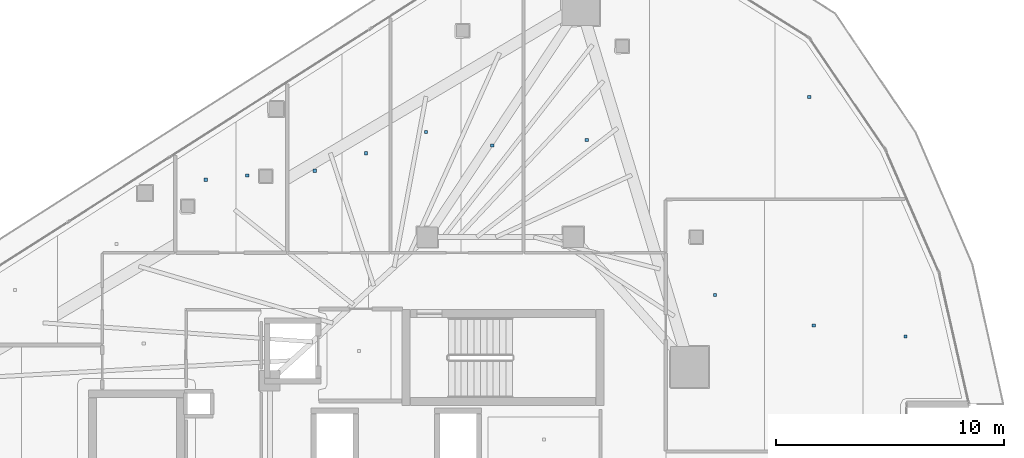
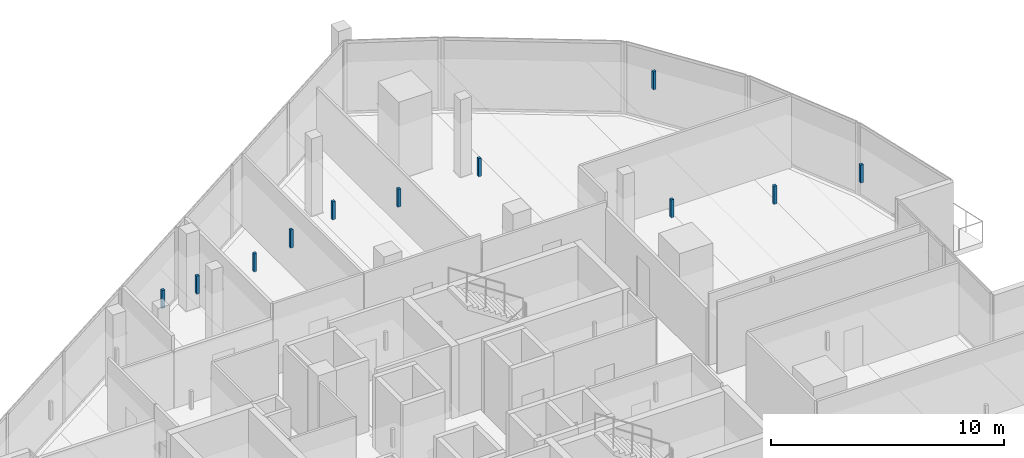
# One storey, part 26 of 32: 11 discrete accessories.
"""IFC4 building model written with IfcOpenShell, lengths in metres."""

from ifc_helpers import new_model, si_unit, direction, frame, origin, origin_2d, place, context, subcontext, project, spatial, rectangle, extrude, material, type_object, element, save


model = new_model("IFC4")

# Units and contexts
model_context = context("Model", 3, precision=1e-05, world=origin(), true_north=direction((0.0, 1.0)))
body_context = subcontext(model_context, "Body", "Model", "MODEL_VIEW")
ifc_project = project(units=[si_unit("LENGTHUNIT", "METRE"), si_unit("AREAUNIT", "SQUARE_METRE"), si_unit("VOLUMEUNIT", "CUBIC_METRE"), si_unit("PLANEANGLEUNIT", "RADIAN"), si_unit("MASSUNIT", "GRAM", prefix="KILO")], contexts=[model_context])

# Site, building, storey
site_placement = place(None, origin())
site = spatial("IfcSite", under=ifc_project, at=site_placement, CompositionType="ELEMENT")
building_placement = place(site_placement, origin())
building = spatial("IfcBuilding", under=site, at=building_placement, Name="Qorvath Tower", CompositionType="ELEMENT")
storey_placement = place(building_placement, frame((0.0, 0.0, 233.39990234375)))
storey = spatial("IfcBuildingStorey", under=building, at=storey_placement, Name="L54", CompositionType="ELEMENT", Elevation=233.39990234375)

# Discrete accessories
ifc_material = material(Name="Galvanised steel bracket", Category="steel")
discrete_accessory_type = type_object("IfcDiscreteAccessoryType", Name="DA-BRACKET", PredefinedType="BRACKET", material=ifc_material)
for number, where, z_axis, x_axis, name in (
    (1, (-33.3173828125, 13.961669921875, 2.85986328125), (0.0, 0.0, 1.0), (1.0, 0.0, 0.0), "Acoustic Ceiling Suspension Hanger T1-L54-010"),
    (2, (-31.49658203125, 14.1455078125, 2.85986328125), (0.0, 0.0, 1.0), (1.0, 0.0, 0.0), "Acoustic Ceiling Suspension Hanger T1-L54-011"),
    (3, (-28.5361328125, 14.360107421875, 2.85986328125), (0.0, 0.0, 1.0), (1.0, 0.0, 0.0), "Acoustic Ceiling Suspension Hanger T1-L54-012"),
    (4, (-26.2822265625, 15.12060546875, 2.85986328125), (0.0, 0.0, 1.0), (1.0, 0.0, 0.0), "Acoustic Ceiling Suspension Hanger T1-L54-013"),
    (5, (-23.658935546875, 16.05126953125, 2.85986328125), (0.0, 0.0, 1.0), (1.0, 0.0, 0.0), "Acoustic Ceiling Suspension Hanger T1-L54-014"),
    (6, (-20.74853515625, 15.464599609375, 2.85986328125), (0.0, 0.0, 1.0), (1.0, 0.0, 0.0), "Acoustic Ceiling Suspension Hanger T1-L54-015"),
    (7, (-16.60498046875, 15.712646484375, 2.85986328125), (0.0, 0.0, 1.0), (1.0, 0.0, 0.0), "Acoustic Ceiling Suspension Hanger T1-L54-016"),
    (8, (-6.845703125, 17.5908203125, 2.85986328125), (0.0, 0.0, 1.0), (1.0, 0.0, 0.0), "Acoustic Ceiling Suspension Hanger T1-L54-018"),
    (9, (-10.972900390625, 8.90771484375, 2.85986328125), (0.0, 0.0, 1.0), (1.0, 0.0, 0.0), "Acoustic Ceiling Suspension Hanger T1-L54-034"),
    (10, (-6.644287109375, 7.572265625, 2.85986328125), (0.0, 0.0, 1.0), (1.0, 0.0, 0.0), "Acoustic Ceiling Suspension Hanger T1-L54-035"),
    (11, (-2.625, 7.0830078125, 2.85986328125), (0.0, 0.0, 1.0), (1.0, 0.0, 0.0), "Acoustic Ceiling Suspension Hanger T1-L54-036"),
):
    element("IfcDiscreteAccessory", number, at=place(storey_placement, frame(where, z_axis=z_axis, x_axis=x_axis)), inside=storey, type_object=discrete_accessory_type, Name=name, PredefinedType="NOTDEFINED", context=body_context, shape_type="SweptSolid", body=[
        extrude(rectangle(XDim=0.139892578125, YDim=0.139892578125, at=origin_2d()), origin(), (0.0, 0.0, 1.0), 0.949951171875),
    ])

save(model, "model.ifc")
